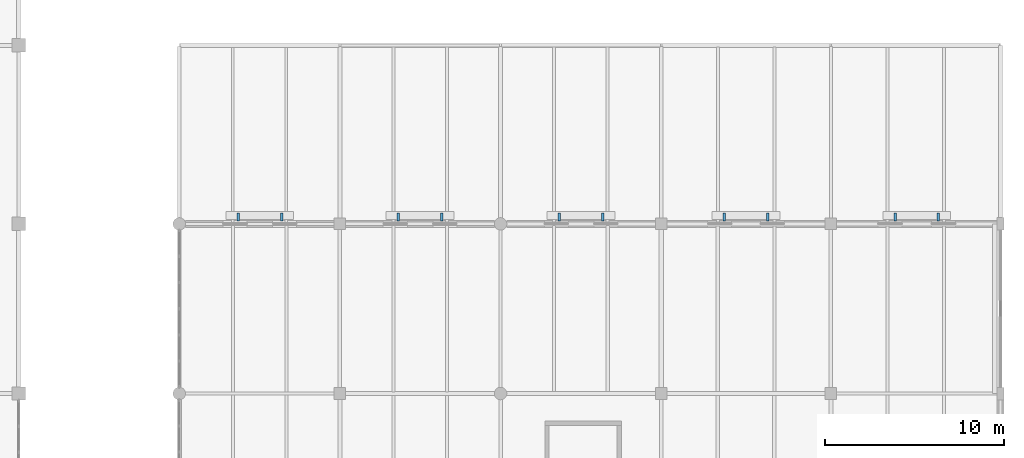
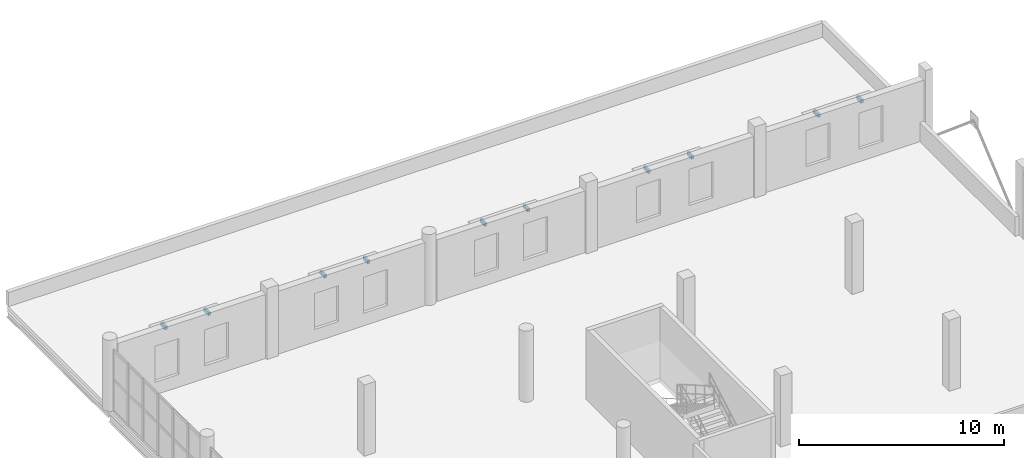
# One storey, part 73 of 85: 10 discrete accessories.
"""IFC4 building model written with IfcOpenShell, lengths in metres."""

from ifc_helpers import new_model, si_unit, direction, frame, origin, origin_2d, place, context, subcontext, project, spatial, rectangle, extrude, material, type_object, element, save


model = new_model("IFC4")

# Units and contexts
model_context = context("Model", 3, precision=1e-05, world=origin(), true_north=direction((0.0, 1.0)))
body_context = subcontext(model_context, "Body", "Model", "MODEL_VIEW")
ifc_project = project(units=[si_unit("LENGTHUNIT", "METRE"), si_unit("AREAUNIT", "SQUARE_METRE"), si_unit("VOLUMEUNIT", "CUBIC_METRE"), si_unit("PLANEANGLEUNIT", "RADIAN"), si_unit("MASSUNIT", "GRAM", prefix="KILO")], contexts=[model_context])

# Site, building, storey
site_placement = place(None, origin())
site = spatial("IfcSite", under=ifc_project, at=site_placement, CompositionType="ELEMENT")
building_placement = place(site_placement, origin())
building = spatial("IfcBuilding", under=site, at=building_placement, Name="Marnock Terrace Opera House", CompositionType="ELEMENT")
storey_placement = place(building_placement, frame((0.0, 0.0, 10.199951171875)))
storey = spatial("IfcBuildingStorey", under=building, at=storey_placement, Name="L02", CompositionType="ELEMENT", Elevation=10.199951171875)

# Discrete accessories
ifc_material = material(Name="Galvanised architectural steel framing", Category="steel")
discrete_accessory_type = type_object("IfcDiscreteAccessoryType", Name="ACC-BRACKET-450", PredefinedType="BRACKET", material=ifc_material)
for number, where, z_axis, x_axis, name in (
    (1, (121.29638671875, 94.39990234375, 3.357421875), (0.0, 0.0, 1.0), (1.0, 0.0, 0.0), "Brise-soleil support bracket EW-V5N-L02-1.A"),
    (2, (123.728515625, 94.39990234375, 3.357421875), (0.0, 0.0, 1.0), (1.0, 0.0, 0.0), "Brise-soleil support bracket EW-V5N-L02-1.B"),
    (3, (130.271484375, 94.39990234375, 3.2998046875), (0.0, 0.0, 1.0), (1.0, 0.0, 0.0), "Brise-soleil support bracket EW-V5N-L02-2.A"),
    (4, (132.70361328125, 94.39990234375, 3.2998046875), (0.0, 0.0, 1.0), (1.0, 0.0, 0.0), "Brise-soleil support bracket EW-V5N-L02-2.B"),
    (5, (139.29638671875, 94.39990234375, 3.22705078125), (0.0, 0.0, 1.0), (1.0, 0.0, 0.0), "Brise-soleil support bracket EW-V5N-L02-3.A"),
    (6, (141.728515625, 94.39990234375, 3.22705078125), (0.0, 0.0, 1.0), (1.0, 0.0, 0.0), "Brise-soleil support bracket EW-V5N-L02-3.B"),
    (7, (148.533935546875, 94.39990234375, 3.14306640625), (0.0, 0.0, 1.0), (1.0, 0.0, 0.0), "Brise-soleil support bracket EW-V5N-L02-4.A"),
    (8, (150.966064453125, 94.39990234375, 3.14306640625), (0.0, 0.0, 1.0), (1.0, 0.0, 0.0), "Brise-soleil support bracket EW-V5N-L02-4.B"),
    (9, (158.096435546875, 94.39990234375, 3.138671875), (0.0, 0.0, 1.0), (1.0, 0.0, 0.0), "Brise-soleil support bracket EW-V5N-L02-5.A"),
    (10, (160.528564453125, 94.39990234375, 3.138671875), (0.0, 0.0, 1.0), (1.0, 0.0, 0.0), "Brise-soleil support bracket EW-V5N-L02-5.B"),
):
    element("IfcDiscreteAccessory", number, at=place(storey_placement, frame(where, z_axis=z_axis, x_axis=x_axis)), inside=storey, type_object=discrete_accessory_type, Name=name, PredefinedType="BRACKET", context=body_context, shape_type="SweptSolid", body=[
        extrude(rectangle(XDim=0.139892578125, YDim=0.449951171875, at=origin_2d()), origin(), (0.0, 0.0, 1.0), 0.199951171875),
    ])

save(model, "model.ifc")
